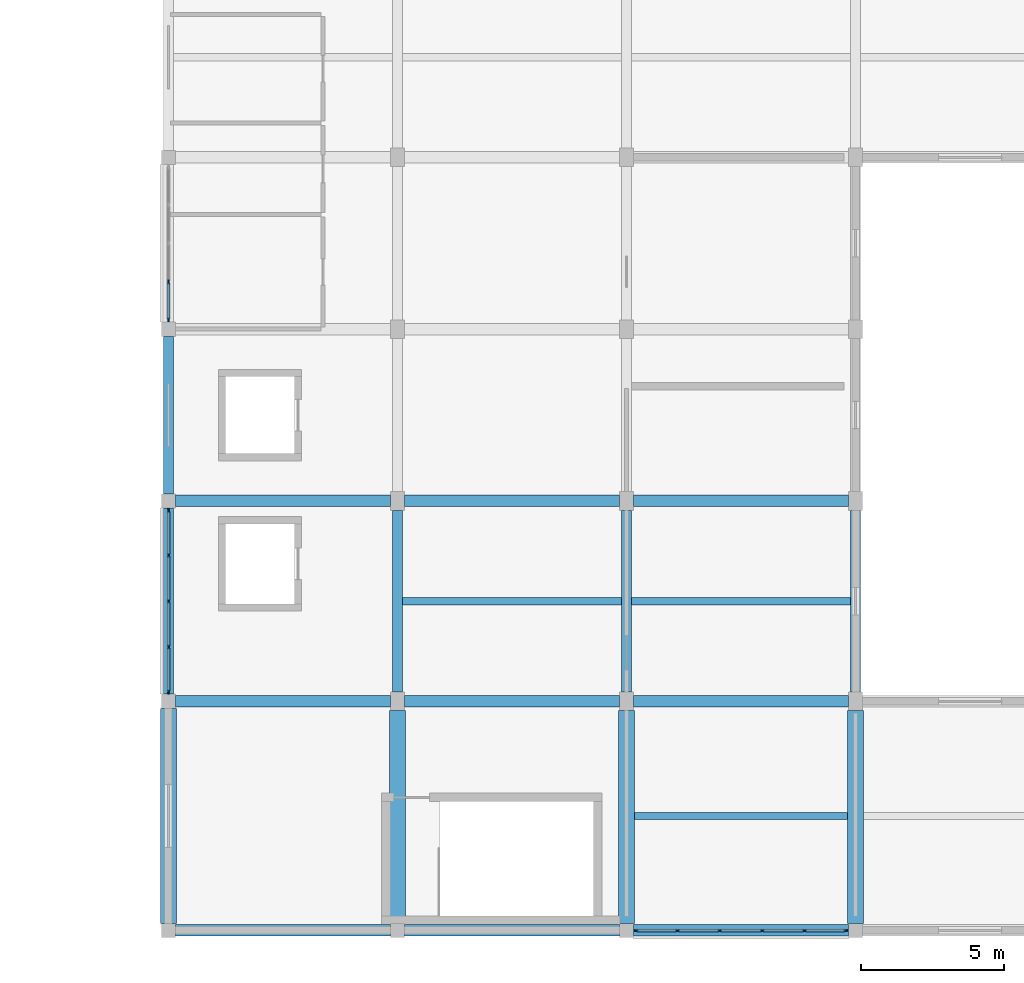
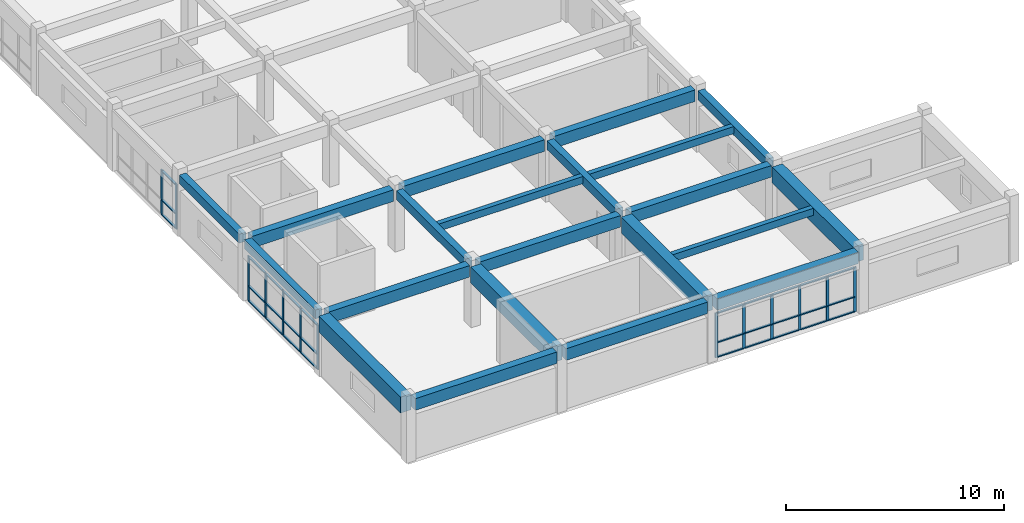
# One storey, part 4 of 17: 43 members, 21 beams, 3 elements without a shape of their own.
"""IFC4 building model written with IfcOpenShell, lengths in metres."""

from ifc_helpers import new_model, si_unit, direction, frame, origin, origin_2d, place, context, subcontext, project, spatial, rectangle, extrude, material, layer, layer_set, material_profile, profile_set, type_object, element, aggregate, save


model = new_model("IFC4")

# Units and contexts
model_context = context("Model", 3, precision=1e-05, world=origin(), true_north=direction((0.0, 1.0)))
body_context = subcontext(model_context, "Body", "Model", "MODEL_VIEW")
ifc_project = project(units=[si_unit("LENGTHUNIT", "METRE"), si_unit("AREAUNIT", "SQUARE_METRE"), si_unit("VOLUMEUNIT", "CUBIC_METRE"), si_unit("PLANEANGLEUNIT", "RADIAN"), si_unit("MASSUNIT", "GRAM", prefix="KILO")], contexts=[model_context])

# Site, building, storey
site_placement = place(None, origin())
site = spatial("IfcSite", under=ifc_project, at=site_placement, CompositionType="ELEMENT")
building_placement = place(site_placement, origin())
building = spatial("IfcBuilding", under=site, at=building_placement, Name="Naurynzar Civic Courthouse", CompositionType="ELEMENT")
storey_placement = place(building_placement, frame((0.0, 0.0, 29.550048828125)))
storey = spatial("IfcBuildingStorey", under=building, at=storey_placement, Name="L08", CompositionType="ELEMENT", Elevation=29.550048828125)

# Beams
ifc_material_1 = material(Name="Concrete C40/50", Category="concrete")
ifc_material_profile_1 = material_profile(ifc_material_1, rectangle(XDim=0.25, YDim=0.39990234375, at=origin_2d()), Name="RCB 250x400")
ifc_profile_set_1 = profile_set([ifc_material_profile_1], Name="Concrete C40/50")
beam_type_1 = type_object("IfcBeamType", Name="BM-JST-250x400", PredefinedType="JOIST", material=ifc_profile_set_1)
beam_1_placement = place(storey_placement, frame((146.27490234375, 21.0, 3.22998046875), z_axis=(1.0, 0.0, 0.0), x_axis=(0.0, 1.0, 0.0)))
element("IfcBeam", 1, at=beam_1_placement, inside=storey, type_object=beam_type_1, Name="V5 secondary rib 2967 L08", PredefinedType="JOIST", context=body_context, shape_type="SweptSolid", body=[
    extrude(rectangle(XDim=0.25, YDim=0.39990234375, at=origin_2d()), origin(), (0.0, 0.0, 1.0), 7.4501953125),
])
for number, where, z_axis, x_axis, name in (
    (2, (138.175048828125, 28.5, 3.22998046875), (1.0, 0.0, 0.0), (0.0, 1.0, 0.0), "V5 secondary rib 2969 L08"),
    (3, (146.175048828125, 28.5, 3.22998046875), (1.0, 0.0, 0.0), (0.0, 1.0, 0.0), "V5 secondary rib 2970 L08"),
):
    element("IfcBeam", number, at=place(storey_placement, frame(where, z_axis=z_axis, x_axis=x_axis)), inside=storey, type_object=beam_type_1, Name=name, PredefinedType="JOIST", context=body_context, shape_type="SweptSolid", body=[
        extrude(rectangle(XDim=0.25, YDim=0.39990234375, at=origin_2d()), origin(), (0.0, 0.0, 1.0), 7.64990234375),
    ])
ifc_material_2 = material(Name="Concrete C40/50", Category="concrete")
ifc_material_profile_2 = material_profile(ifc_material_2, rectangle(XDim=0.35009765625, YDim=0.5, at=origin_2d()), Name="RCB 350x500")
ifc_profile_set_2 = profile_set([ifc_material_profile_2], Name="Concrete C40/50")
beam_type_2 = type_object("IfcBeamType", Name="BM-RC-350x500", PredefinedType="BEAM", material=ifc_profile_set_2)
beam_2_placement = place(storey_placement, frame((130.0, 25.25, 3.179931640625), z_axis=(0.0, 1.0, 0.0), x_axis=(-1.0, 0.0, 0.0)))
element("IfcBeam", 4, at=beam_2_placement, inside=storey, type_object=beam_type_2, Name="V5 girder Y-2936 L08", PredefinedType="BEAM", context=body_context, shape_type="SweptSolid", body=[
    extrude(rectangle(XDim=0.35009765625, YDim=0.5, at=origin_2d()), origin(), (0.0, 0.0, 1.0), 6.5),
])
beam_3_placement = place(storey_placement, frame((130.0, 32.25, 3.179931640625), z_axis=(0.0, 1.0, 0.0), x_axis=(-1.0, 0.0, 0.0)))
element("IfcBeam", 5, at=beam_3_placement, inside=storey, type_object=beam_type_2, Name="V5 girder Y-2937 L08", PredefinedType="BEAM", context=body_context, shape_type="SweptSolid", body=[
    extrude(rectangle(XDim=0.35009765625, YDim=0.5, at=origin_2d()), origin(), (0.0, 0.0, 1.0), 5.5),
])
for number, where, z_axis, x_axis, name in (
    (6, (138.0, 25.324951171875, 3.179931640625), (0.0, 1.0, 0.0), (-1.0, 0.0, 0.0), "V5 girder Y-2943 L08"),
    (7, (146.0, 25.324951171875, 3.179931640625), (0.0, 1.0, 0.0), (-1.0, 0.0, 0.0), "V5 girder Y-2950 L08"),
    (8, (154.0, 25.324951171875, 3.179931640625), (0.0, 1.0, 0.0), (-1.0, 0.0, 0.0), "V5 girder Y-2957 L08"),
):
    element("IfcBeam", number, at=place(storey_placement, frame(where, z_axis=z_axis, x_axis=x_axis)), inside=storey, type_object=beam_type_2, Name=name, PredefinedType="BEAM", context=body_context, shape_type="SweptSolid", body=[
        extrude(rectangle(XDim=0.35009765625, YDim=0.5, at=origin_2d()), origin(), (0.0, 0.0, 1.0), 6.35009765625),
    ])
ifc_material_3 = material(Name="Concrete C40/50", Category="concrete")
ifc_material_profile_3 = material_profile(ifc_material_3, rectangle(XDim=0.39990234375, YDim=0.64990234375, at=origin_2d()), Name="RCB 400x650")
ifc_profile_set_3 = profile_set([ifc_material_profile_3], Name="Concrete C40/50")
beam_type_3 = type_object("IfcBeamType", Name="BM-RC-400x650", PredefinedType="BEAM", material=ifc_profile_set_3)
for number, where, z_axis, x_axis, name in (
    (9, (130.25, 17.0, 3.10498046875), (1.0, 0.0, 0.0), (0.0, 1.0, 0.0), "V5 beam X-2905 L08"),
    (10, (138.25, 17.0, 3.10498046875), (1.0, 0.0, 0.0), (0.0, 1.0, 0.0), "V5 beam X-2906 L08"),
    (11, (146.25, 17.0, 3.10498046875), (1.0, 0.0, 0.0), (0.0, 1.0, 0.0), "V5 beam X-2907 L08"),
    (12, (130.25, 25.0, 3.10498046875), (1.0, 0.0, 0.0), (0.0, 1.0, 0.0), "V5 beam X-2909 L08"),
    (13, (138.25, 25.0, 3.10498046875), (1.0, 0.0, 0.0), (0.0, 1.0, 0.0), "V5 beam X-2910 L08"),
    (14, (146.25, 25.0, 3.10498046875), (1.0, 0.0, 0.0), (0.0, 1.0, 0.0), "V5 beam X-2911 L08"),
    (15, (130.25, 32.0, 3.10498046875), (1.0, 0.0, 0.0), (0.0, 1.0, 0.0), "V5 beam X-2913 L08"),
    (16, (138.25, 32.0, 3.10498046875), (1.0, 0.0, 0.0), (0.0, 1.0, 0.0), "V5 beam X-2914 L08"),
    (17, (146.25, 32.0, 3.10498046875), (1.0, 0.0, 0.0), (0.0, 1.0, 0.0), "V5 beam X-2915 L08"),
):
    element("IfcBeam", number, at=place(storey_placement, frame(where, z_axis=z_axis, x_axis=x_axis)), inside=storey, type_object=beam_type_3, Name=name, PredefinedType="BEAM", context=body_context, shape_type="SweptSolid", body=[
        extrude(rectangle(XDim=0.39990234375, YDim=0.64990234375, at=origin_2d()), origin(), (0.0, 0.0, 1.0), 7.5),
    ])
ifc_material_4 = material(Name="Concrete C40/50", Category="concrete")
ifc_material_profile_4 = material_profile(ifc_material_4, rectangle(XDim=0.550048828125, YDim=0.89990234375, at=origin_2d()), Name="RCB 550x900")
ifc_profile_set_4 = profile_set([ifc_material_profile_4], Name="Concrete C40/50")
beam_type_4 = type_object("IfcBeamType", Name="BM-RC-550x900", PredefinedType="T_BEAM", material=ifc_profile_set_4)
beam_4_placement = place(storey_placement, frame((130.0, 17.25, 2.97998046875), z_axis=(0.0, 1.0, 0.0), x_axis=(-1.0, 0.0, 0.0)))
element("IfcBeam", 18, at=beam_4_placement, inside=storey, type_object=beam_type_4, Name="V5 girder Y-2935 L08", PredefinedType="T_BEAM", context=body_context, shape_type="SweptSolid", body=[
    extrude(rectangle(XDim=0.550048828125, YDim=0.89990234375, at=origin_2d()), origin(), (0.0, 0.0, 1.0), 7.5),
])
for number, where, z_axis, x_axis, name in (
    (19, (138.0, 17.25, 2.97998046875), (0.0, 1.0, 0.0), (-1.0, 0.0, 0.0), "V5 girder Y-2942 L08"),
    (20, (146.0, 17.25, 2.97998046875), (0.0, 1.0, 0.0), (-1.0, 0.0, 0.0), "V5 girder Y-2949 L08"),
    (21, (154.0, 17.25, 2.97998046875), (0.0, 1.0, 0.0), (-1.0, 0.0, 0.0), "V5 girder Y-2956 L08"),
):
    element("IfcBeam", number, at=place(storey_placement, frame(where, z_axis=z_axis, x_axis=x_axis)), inside=storey, type_object=beam_type_4, Name=name, PredefinedType="T_BEAM", context=body_context, shape_type="SweptSolid", body=[
        extrude(rectangle(XDim=0.550048828125, YDim=0.89990234375, at=origin_2d()), origin(), (0.0, 0.0, 1.0), 7.425048828125),
    ])

# Curtain wall, members
ifc_material_5 = material(Name="Aluminium 6063-T6", Category="aluminium")
ifc_layer = layer(ifc_material_5, 0.179931640625)
ifc_layer_set = layer_set([ifc_layer], Name="CW-UNIT-1500")
curtain_wall_type = type_object("IfcCurtainWallType", Name="CW-UNIT-1500", PredefinedType="NOTDEFINED", material=ifc_layer_set)
curtain_wall_1_placement = place(storey_placement, origin())
curtain_wall_1 = element("IfcCurtainWall", 22, at=curtain_wall_1_placement, inside=storey, type_object=curtain_wall_type, Name="V5 unitised curtain wall 117 L08", PredefinedType="NOTDEFINED")
ifc_material_6 = material(Name="Aluminium 6063-T6", Category="aluminium")
ifc_material_profile_5 = material_profile(ifc_material_6, rectangle(XDim=0.06005859375, YDim=0.14990234375, at=origin_2d()), Name="ALU MULLION 60x150")
ifc_profile_set_5 = profile_set([ifc_material_profile_5], Name="Aluminium 6063-T6")
member_type_1 = type_object("IfcMemberType", Name="CWM-60x150", PredefinedType="MULLION", material=ifc_profile_set_5)
member_1_placement = place(storey_placement, frame((130.0, 25.330078125, 0.0), z_axis=(0.0, 0.0, 1.0), x_axis=(-1.0, 0.0, 0.0)))
member_1 = element("IfcMember", 23, at=member_1_placement, type_object=member_type_1, Name="CW-01 mullion 1", PredefinedType="MULLION", context=body_context, shape_type="SweptSolid", body=[
    extrude(rectangle(XDim=0.06005859375, YDim=0.14990234375, at=origin_2d()), origin(), (0.0, 0.0, 1.0), 2.510009765625),
])
member_2_placement = place(storey_placement, frame((130.0, 26.89990234375, 0.0), z_axis=(0.0, 0.0, 1.0), x_axis=(-1.0, 0.0, 0.0)))
member_2 = element("IfcMember", 24, at=member_2_placement, type_object=member_type_1, Name="CW-01 mullion 2", PredefinedType="MULLION", context=body_context, shape_type="SweptSolid", body=[
    extrude(rectangle(XDim=0.06005859375, YDim=0.14990234375, at=origin_2d()), origin(), (0.0, 0.0, 1.0), 2.510009765625),
])
member_3_placement = place(storey_placement, frame((130.0, 28.5, 0.0), z_axis=(0.0, 0.0, 1.0), x_axis=(-1.0, 0.0, 0.0)))
member_3 = element("IfcMember", 25, at=member_3_placement, type_object=member_type_1, Name="CW-01 mullion 3", PredefinedType="MULLION", context=body_context, shape_type="SweptSolid", body=[
    extrude(rectangle(XDim=0.06005859375, YDim=0.14990234375, at=origin_2d()), origin(), (0.0, 0.0, 1.0), 2.510009765625),
])
member_4_placement = place(storey_placement, frame((130.0, 30.10009765625, 0.0), z_axis=(0.0, 0.0, 1.0), x_axis=(-1.0, 0.0, 0.0)))
member_4 = element("IfcMember", 26, at=member_4_placement, type_object=member_type_1, Name="CW-01 mullion 4", PredefinedType="MULLION", context=body_context, shape_type="SweptSolid", body=[
    extrude(rectangle(XDim=0.06005859375, YDim=0.14990234375, at=origin_2d()), origin(), (0.0, 0.0, 1.0), 2.510009765625),
])
member_5_placement = place(storey_placement, frame((130.0, 31.669921875, 0.0), z_axis=(0.0, 0.0, 1.0), x_axis=(-1.0, 0.0, 0.0)))
member_5 = element("IfcMember", 27, at=member_5_placement, type_object=member_type_1, Name="CW-01 mullion 5", PredefinedType="MULLION", context=body_context, shape_type="SweptSolid", body=[
    extrude(rectangle(XDim=0.06005859375, YDim=0.14990234375, at=origin_2d()), origin(), (0.0, 0.0, 1.0), 2.510009765625),
])

curtain_wall_2_placement = place(storey_placement, origin())
curtain_wall_2 = element("IfcCurtainWall", 28, at=curtain_wall_2_placement, inside=storey, type_object=curtain_wall_type, Name="V5 unitised curtain wall 118 L08", PredefinedType="NOTDEFINED")
member_6_placement = place(storey_placement, frame((130.0, 38.330078125, 0.0), z_axis=(0.0, 0.0, 1.0), x_axis=(-1.0, 0.0, 0.0)))
member_6 = element("IfcMember", 29, at=member_6_placement, type_object=member_type_1, Name="CW-01 mullion 1", PredefinedType="MULLION", context=body_context, shape_type="SweptSolid", body=[
    extrude(rectangle(XDim=0.06005859375, YDim=0.14990234375, at=origin_2d()), origin(), (0.0, 0.0, 1.0), 2.510009765625),
])
member_7_placement = place(storey_placement, frame((130.0, 39.64990234375, 0.0), z_axis=(0.0, 0.0, 1.0), x_axis=(-1.0, 0.0, 0.0)))
member_7 = element("IfcMember", 30, at=member_7_placement, type_object=member_type_1, Name="CW-01 mullion 2", PredefinedType="MULLION", context=body_context, shape_type="SweptSolid", body=[
    extrude(rectangle(XDim=0.06005859375, YDim=0.14990234375, at=origin_2d()), origin(), (0.0, 0.0, 1.0), 2.510009765625),
])

curtain_wall_3_placement = place(storey_placement, origin())
curtain_wall_3 = element("IfcCurtainWall", 31, at=curtain_wall_3_placement, inside=storey, type_object=curtain_wall_type, Name="V5 unitised curtain wall 120 L08", PredefinedType="NOTDEFINED")
member_8_placement = place(storey_placement, frame((153.669921875, 17.0, 0.0), z_axis=(0.0, 0.0, 1.0), x_axis=(0.0, -1.0, 0.0)))
member_8 = element("IfcMember", 32, at=member_8_placement, type_object=member_type_1, Name="CW-01 mullion 1", PredefinedType="MULLION", context=body_context, shape_type="SweptSolid", body=[
    extrude(rectangle(XDim=0.06005859375, YDim=0.14990234375, at=origin_2d()), origin(), (0.0, 0.0, 1.0), 2.510009765625),
])
member_9_placement = place(storey_placement, frame((152.219970703125, 17.0, 0.0), z_axis=(0.0, 0.0, 1.0), x_axis=(0.0, -1.0, 0.0)))
member_9 = element("IfcMember", 33, at=member_9_placement, type_object=member_type_1, Name="CW-01 mullion 2", PredefinedType="MULLION", context=body_context, shape_type="SweptSolid", body=[
    extrude(rectangle(XDim=0.06005859375, YDim=0.14990234375, at=origin_2d()), origin(), (0.0, 0.0, 1.0), 2.510009765625),
])
member_10_placement = place(storey_placement, frame((150.739990234375, 17.0, 0.0), z_axis=(0.0, 0.0, 1.0), x_axis=(0.0, -1.0, 0.0)))
member_10 = element("IfcMember", 34, at=member_10_placement, type_object=member_type_1, Name="CW-01 mullion 3", PredefinedType="MULLION", context=body_context, shape_type="SweptSolid", body=[
    extrude(rectangle(XDim=0.06005859375, YDim=0.14990234375, at=origin_2d()), origin(), (0.0, 0.0, 1.0), 2.510009765625),
])
member_11_placement = place(storey_placement, frame((149.260009765625, 17.0, 0.0), z_axis=(0.0, 0.0, 1.0), x_axis=(0.0, -1.0, 0.0)))
member_11 = element("IfcMember", 35, at=member_11_placement, type_object=member_type_1, Name="CW-01 mullion 4", PredefinedType="MULLION", context=body_context, shape_type="SweptSolid", body=[
    extrude(rectangle(XDim=0.06005859375, YDim=0.14990234375, at=origin_2d()), origin(), (0.0, 0.0, 1.0), 2.510009765625),
])
member_12_placement = place(storey_placement, frame((147.780029296875, 17.0, 0.0), z_axis=(0.0, 0.0, 1.0), x_axis=(0.0, -1.0, 0.0)))
member_12 = element("IfcMember", 36, at=member_12_placement, type_object=member_type_1, Name="CW-01 mullion 5", PredefinedType="MULLION", context=body_context, shape_type="SweptSolid", body=[
    extrude(rectangle(XDim=0.06005859375, YDim=0.14990234375, at=origin_2d()), origin(), (0.0, 0.0, 1.0), 2.510009765625),
])
member_13_placement = place(storey_placement, frame((146.330078125, 17.0, 0.0), z_axis=(0.0, 0.0, 1.0), x_axis=(0.0, -1.0, 0.0)))
member_13 = element("IfcMember", 37, at=member_13_placement, type_object=member_type_1, Name="CW-01 mullion 6", PredefinedType="MULLION", context=body_context, shape_type="SweptSolid", body=[
    extrude(rectangle(XDim=0.06005859375, YDim=0.14990234375, at=origin_2d()), origin(), (0.0, 0.0, 1.0), 2.510009765625),
])

# Member
ifc_material_7 = material(Name="Aluminium 6063-T6", Category="aluminium")
ifc_material_profile_6 = material_profile(ifc_material_7, rectangle(XDim=0.110107421875, YDim=0.06005859375, at=origin_2d()), Name="ALU TRANSOM 60x110")
ifc_profile_set_6 = profile_set([ifc_material_profile_6], Name="Aluminium 6063-T6")
member_type_2 = type_object("IfcMemberType", Name="CWT-60x110", PredefinedType="USERDEFINED", material=ifc_profile_set_6)
member_14_placement = place(storey_placement, frame((130.0, 25.360107421875, 0.030029296875), z_axis=(0.0, 1.0, 0.0), x_axis=(-1.0, 0.0, 0.0)))
member_14 = element("IfcMember", 38, at=member_14_placement, type_object=member_type_2, Name="CW-01 transom 1.1", ObjectType="TRANSOM", PredefinedType="USERDEFINED", context=body_context, shape_type="SweptSolid", body=[
    extrude(rectangle(XDim=0.110107421875, YDim=0.06005859375, at=origin_2d()), origin(), (0.0, 0.0, 1.0), 1.510009765625),
])

member_15_placement = place(storey_placement, frame((130.0, 25.360107421875, 0.849853515625), z_axis=(0.0, 1.0, 0.0), x_axis=(-1.0, 0.0, 0.0)))
member_15 = element("IfcMember", 39, at=member_15_placement, type_object=member_type_2, Name="CW-01 transom 1.2", ObjectType="TRANSOM", PredefinedType="USERDEFINED", context=body_context, shape_type="SweptSolid", body=[
    extrude(rectangle(XDim=0.110107421875, YDim=0.06005859375, at=origin_2d()), origin(), (0.0, 0.0, 1.0), 1.510009765625),
])

member_16_placement = place(storey_placement, frame((130.0, 25.360107421875, 2.47998046875), z_axis=(0.0, 1.0, 0.0), x_axis=(-1.0, 0.0, 0.0)))
member_16 = element("IfcMember", 40, at=member_16_placement, type_object=member_type_2, Name="CW-01 transom 1.3", ObjectType="TRANSOM", PredefinedType="USERDEFINED", context=body_context, shape_type="SweptSolid", body=[
    extrude(rectangle(XDim=0.110107421875, YDim=0.06005859375, at=origin_2d()), origin(), (0.0, 0.0, 1.0), 1.510009765625),
])

member_17_placement = place(storey_placement, frame((130.0, 26.929931640625, 0.030029296875), z_axis=(0.0, 1.0, 0.0), x_axis=(-1.0, 0.0, 0.0)))
member_17 = element("IfcMember", 41, at=member_17_placement, type_object=member_type_2, Name="CW-01 transom 2.1", ObjectType="TRANSOM", PredefinedType="USERDEFINED", context=body_context, shape_type="SweptSolid", body=[
    extrude(rectangle(XDim=0.110107421875, YDim=0.06005859375, at=origin_2d()), origin(), (0.0, 0.0, 1.0), 1.5400390625),
])

member_18_placement = place(storey_placement, frame((130.0, 26.929931640625, 0.849853515625), z_axis=(0.0, 1.0, 0.0), x_axis=(-1.0, 0.0, 0.0)))
member_18 = element("IfcMember", 42, at=member_18_placement, type_object=member_type_2, Name="CW-01 transom 2.2", ObjectType="TRANSOM", PredefinedType="USERDEFINED", context=body_context, shape_type="SweptSolid", body=[
    extrude(rectangle(XDim=0.110107421875, YDim=0.06005859375, at=origin_2d()), origin(), (0.0, 0.0, 1.0), 1.5400390625),
])

member_19_placement = place(storey_placement, frame((130.0, 26.929931640625, 2.47998046875), z_axis=(0.0, 1.0, 0.0), x_axis=(-1.0, 0.0, 0.0)))
member_19 = element("IfcMember", 43, at=member_19_placement, type_object=member_type_2, Name="CW-01 transom 2.3", ObjectType="TRANSOM", PredefinedType="USERDEFINED", context=body_context, shape_type="SweptSolid", body=[
    extrude(rectangle(XDim=0.110107421875, YDim=0.06005859375, at=origin_2d()), origin(), (0.0, 0.0, 1.0), 1.5400390625),
])

member_20_placement = place(storey_placement, frame((130.0, 28.530029296875, 0.030029296875), z_axis=(0.0, 1.0, 0.0), x_axis=(-1.0, 0.0, 0.0)))
member_20 = element("IfcMember", 44, at=member_20_placement, type_object=member_type_2, Name="CW-01 transom 3.1", ObjectType="TRANSOM", PredefinedType="USERDEFINED", context=body_context, shape_type="SweptSolid", body=[
    extrude(rectangle(XDim=0.110107421875, YDim=0.06005859375, at=origin_2d()), origin(), (0.0, 0.0, 1.0), 1.5400390625),
])

member_21_placement = place(storey_placement, frame((130.0, 28.530029296875, 0.849853515625), z_axis=(0.0, 1.0, 0.0), x_axis=(-1.0, 0.0, 0.0)))
member_21 = element("IfcMember", 45, at=member_21_placement, type_object=member_type_2, Name="CW-01 transom 3.2", ObjectType="TRANSOM", PredefinedType="USERDEFINED", context=body_context, shape_type="SweptSolid", body=[
    extrude(rectangle(XDim=0.110107421875, YDim=0.06005859375, at=origin_2d()), origin(), (0.0, 0.0, 1.0), 1.5400390625),
])

member_22_placement = place(storey_placement, frame((130.0, 28.530029296875, 2.47998046875), z_axis=(0.0, 1.0, 0.0), x_axis=(-1.0, 0.0, 0.0)))
member_22 = element("IfcMember", 46, at=member_22_placement, type_object=member_type_2, Name="CW-01 transom 3.3", ObjectType="TRANSOM", PredefinedType="USERDEFINED", context=body_context, shape_type="SweptSolid", body=[
    extrude(rectangle(XDim=0.110107421875, YDim=0.06005859375, at=origin_2d()), origin(), (0.0, 0.0, 1.0), 1.5400390625),
])

member_23_placement = place(storey_placement, frame((130.0, 30.1298828125, 0.030029296875), z_axis=(0.0, 1.0, 0.0), x_axis=(-1.0, 0.0, 0.0)))
member_23 = element("IfcMember", 47, at=member_23_placement, type_object=member_type_2, Name="CW-01 transom 4.1", ObjectType="TRANSOM", PredefinedType="USERDEFINED", context=body_context, shape_type="SweptSolid", body=[
    extrude(rectangle(XDim=0.110107421875, YDim=0.06005859375, at=origin_2d()), origin(), (0.0, 0.0, 1.0), 1.510009765625),
])

member_24_placement = place(storey_placement, frame((130.0, 30.1298828125, 0.849853515625), z_axis=(0.0, 1.0, 0.0), x_axis=(-1.0, 0.0, 0.0)))
member_24 = element("IfcMember", 48, at=member_24_placement, type_object=member_type_2, Name="CW-01 transom 4.2", ObjectType="TRANSOM", PredefinedType="USERDEFINED", context=body_context, shape_type="SweptSolid", body=[
    extrude(rectangle(XDim=0.110107421875, YDim=0.06005859375, at=origin_2d()), origin(), (0.0, 0.0, 1.0), 1.510009765625),
])

member_25_placement = place(storey_placement, frame((130.0, 30.1298828125, 2.47998046875), z_axis=(0.0, 1.0, 0.0), x_axis=(-1.0, 0.0, 0.0)))
member_25 = element("IfcMember", 49, at=member_25_placement, type_object=member_type_2, Name="CW-01 transom 4.3", ObjectType="TRANSOM", PredefinedType="USERDEFINED", context=body_context, shape_type="SweptSolid", body=[
    extrude(rectangle(XDim=0.110107421875, YDim=0.06005859375, at=origin_2d()), origin(), (0.0, 0.0, 1.0), 1.510009765625),
])

aggregate(curtain_wall_1, [member_1, member_2, member_3, member_4, member_5, member_14, member_15, member_16, member_17, member_18, member_19, member_20, member_21, member_22, member_23, member_24, member_25])

member_26_placement = place(storey_placement, frame((130.0, 38.360107421875, 0.030029296875), z_axis=(0.0, 1.0, 0.0), x_axis=(-1.0, 0.0, 0.0)))
member_26 = element("IfcMember", 50, at=member_26_placement, type_object=member_type_2, Name="CW-01 transom 1.1", ObjectType="TRANSOM", PredefinedType="USERDEFINED", context=body_context, shape_type="SweptSolid", body=[
    extrude(rectangle(XDim=0.110107421875, YDim=0.06005859375, at=origin_2d()), origin(), (0.0, 0.0, 1.0), 1.260009765625),
])

member_27_placement = place(storey_placement, frame((130.0, 38.360107421875, 0.849853515625), z_axis=(0.0, 1.0, 0.0), x_axis=(-1.0, 0.0, 0.0)))
member_27 = element("IfcMember", 51, at=member_27_placement, type_object=member_type_2, Name="CW-01 transom 1.2", ObjectType="TRANSOM", PredefinedType="USERDEFINED", context=body_context, shape_type="SweptSolid", body=[
    extrude(rectangle(XDim=0.110107421875, YDim=0.06005859375, at=origin_2d()), origin(), (0.0, 0.0, 1.0), 1.260009765625),
])

member_28_placement = place(storey_placement, frame((130.0, 38.360107421875, 2.47998046875), z_axis=(0.0, 1.0, 0.0), x_axis=(-1.0, 0.0, 0.0)))
member_28 = element("IfcMember", 52, at=member_28_placement, type_object=member_type_2, Name="CW-01 transom 1.3", ObjectType="TRANSOM", PredefinedType="USERDEFINED", context=body_context, shape_type="SweptSolid", body=[
    extrude(rectangle(XDim=0.110107421875, YDim=0.06005859375, at=origin_2d()), origin(), (0.0, 0.0, 1.0), 1.260009765625),
])

aggregate(curtain_wall_2, [member_6, member_7, member_26, member_27, member_28])

member_29_placement = place(storey_placement, frame((153.639892578125, 17.0, 0.030029296875), z_axis=(-1.0, 0.0, 0.0), x_axis=(0.0, -1.0, 0.0)))
member_29 = element("IfcMember", 53, at=member_29_placement, type_object=member_type_2, Name="CW-01 transom 1.1", ObjectType="TRANSOM", PredefinedType="USERDEFINED", context=body_context, shape_type="SweptSolid", body=[
    extrude(rectangle(XDim=0.110107421875, YDim=0.06005859375, at=origin_2d()), origin(), (0.0, 0.0, 1.0), 1.389892578125),
])

member_30_placement = place(storey_placement, frame((153.639892578125, 17.0, 0.849853515625), z_axis=(-1.0, 0.0, 0.0), x_axis=(0.0, -1.0, 0.0)))
member_30 = element("IfcMember", 54, at=member_30_placement, type_object=member_type_2, Name="CW-01 transom 1.2", ObjectType="TRANSOM", PredefinedType="USERDEFINED", context=body_context, shape_type="SweptSolid", body=[
    extrude(rectangle(XDim=0.110107421875, YDim=0.06005859375, at=origin_2d()), origin(), (0.0, 0.0, 1.0), 1.389892578125),
])

member_31_placement = place(storey_placement, frame((153.639892578125, 17.0, 2.47998046875), z_axis=(-1.0, 0.0, 0.0), x_axis=(0.0, -1.0, 0.0)))
member_31 = element("IfcMember", 55, at=member_31_placement, type_object=member_type_2, Name="CW-01 transom 1.3", ObjectType="TRANSOM", PredefinedType="USERDEFINED", context=body_context, shape_type="SweptSolid", body=[
    extrude(rectangle(XDim=0.110107421875, YDim=0.06005859375, at=origin_2d()), origin(), (0.0, 0.0, 1.0), 1.389892578125),
])

member_32_placement = place(storey_placement, frame((152.18994140625, 17.0, 0.030029296875), z_axis=(-1.0, 0.0, 0.0), x_axis=(0.0, -1.0, 0.0)))
member_32 = element("IfcMember", 56, at=member_32_placement, type_object=member_type_2, Name="CW-01 transom 2.1", ObjectType="TRANSOM", PredefinedType="USERDEFINED", context=body_context, shape_type="SweptSolid", body=[
    extrude(rectangle(XDim=0.110107421875, YDim=0.06005859375, at=origin_2d()), origin(), (0.0, 0.0, 1.0), 1.419921875),
])

member_33_placement = place(storey_placement, frame((152.18994140625, 17.0, 0.849853515625), z_axis=(-1.0, 0.0, 0.0), x_axis=(0.0, -1.0, 0.0)))
member_33 = element("IfcMember", 57, at=member_33_placement, type_object=member_type_2, Name="CW-01 transom 2.2", ObjectType="TRANSOM", PredefinedType="USERDEFINED", context=body_context, shape_type="SweptSolid", body=[
    extrude(rectangle(XDim=0.110107421875, YDim=0.06005859375, at=origin_2d()), origin(), (0.0, 0.0, 1.0), 1.419921875),
])

member_34_placement = place(storey_placement, frame((152.18994140625, 17.0, 2.47998046875), z_axis=(-1.0, 0.0, 0.0), x_axis=(0.0, -1.0, 0.0)))
member_34 = element("IfcMember", 58, at=member_34_placement, type_object=member_type_2, Name="CW-01 transom 2.3", ObjectType="TRANSOM", PredefinedType="USERDEFINED", context=body_context, shape_type="SweptSolid", body=[
    extrude(rectangle(XDim=0.110107421875, YDim=0.06005859375, at=origin_2d()), origin(), (0.0, 0.0, 1.0), 1.419921875),
])

member_35_placement = place(storey_placement, frame((150.7099609375, 17.0, 0.030029296875), z_axis=(-1.0, 0.0, 0.0), x_axis=(0.0, -1.0, 0.0)))
member_35 = element("IfcMember", 59, at=member_35_placement, type_object=member_type_2, Name="CW-01 transom 3.1", ObjectType="TRANSOM", PredefinedType="USERDEFINED", context=body_context, shape_type="SweptSolid", body=[
    extrude(rectangle(XDim=0.110107421875, YDim=0.06005859375, at=origin_2d()), origin(), (0.0, 0.0, 1.0), 1.419921875),
])

member_36_placement = place(storey_placement, frame((150.7099609375, 17.0, 0.849853515625), z_axis=(-1.0, 0.0, 0.0), x_axis=(0.0, -1.0, 0.0)))
member_36 = element("IfcMember", 60, at=member_36_placement, type_object=member_type_2, Name="CW-01 transom 3.2", ObjectType="TRANSOM", PredefinedType="USERDEFINED", context=body_context, shape_type="SweptSolid", body=[
    extrude(rectangle(XDim=0.110107421875, YDim=0.06005859375, at=origin_2d()), origin(), (0.0, 0.0, 1.0), 1.419921875),
])

member_37_placement = place(storey_placement, frame((150.7099609375, 17.0, 2.47998046875), z_axis=(-1.0, 0.0, 0.0), x_axis=(0.0, -1.0, 0.0)))
member_37 = element("IfcMember", 61, at=member_37_placement, type_object=member_type_2, Name="CW-01 transom 3.3", ObjectType="TRANSOM", PredefinedType="USERDEFINED", context=body_context, shape_type="SweptSolid", body=[
    extrude(rectangle(XDim=0.110107421875, YDim=0.06005859375, at=origin_2d()), origin(), (0.0, 0.0, 1.0), 1.419921875),
])

member_38_placement = place(storey_placement, frame((149.22998046875, 17.0, 0.030029296875), z_axis=(-1.0, 0.0, 0.0), x_axis=(0.0, -1.0, 0.0)))
member_38 = element("IfcMember", 62, at=member_38_placement, type_object=member_type_2, Name="CW-01 transom 4.1", ObjectType="TRANSOM", PredefinedType="USERDEFINED", context=body_context, shape_type="SweptSolid", body=[
    extrude(rectangle(XDim=0.110107421875, YDim=0.06005859375, at=origin_2d()), origin(), (0.0, 0.0, 1.0), 1.419921875),
])

member_39_placement = place(storey_placement, frame((149.22998046875, 17.0, 0.849853515625), z_axis=(-1.0, 0.0, 0.0), x_axis=(0.0, -1.0, 0.0)))
member_39 = element("IfcMember", 63, at=member_39_placement, type_object=member_type_2, Name="CW-01 transom 4.2", ObjectType="TRANSOM", PredefinedType="USERDEFINED", context=body_context, shape_type="SweptSolid", body=[
    extrude(rectangle(XDim=0.110107421875, YDim=0.06005859375, at=origin_2d()), origin(), (0.0, 0.0, 1.0), 1.419921875),
])

member_40_placement = place(storey_placement, frame((149.22998046875, 17.0, 2.47998046875), z_axis=(-1.0, 0.0, 0.0), x_axis=(0.0, -1.0, 0.0)))
member_40 = element("IfcMember", 64, at=member_40_placement, type_object=member_type_2, Name="CW-01 transom 4.3", ObjectType="TRANSOM", PredefinedType="USERDEFINED", context=body_context, shape_type="SweptSolid", body=[
    extrude(rectangle(XDim=0.110107421875, YDim=0.06005859375, at=origin_2d()), origin(), (0.0, 0.0, 1.0), 1.419921875),
])

member_41_placement = place(storey_placement, frame((147.75, 17.0, 0.030029296875), z_axis=(-1.0, 0.0, 0.0), x_axis=(0.0, -1.0, 0.0)))
member_41 = element("IfcMember", 65, at=member_41_placement, type_object=member_type_2, Name="CW-01 transom 5.1", ObjectType="TRANSOM", PredefinedType="USERDEFINED", context=body_context, shape_type="SweptSolid", body=[
    extrude(rectangle(XDim=0.110107421875, YDim=0.06005859375, at=origin_2d()), origin(), (0.0, 0.0, 1.0), 1.389892578125),
])

member_42_placement = place(storey_placement, frame((147.75, 17.0, 0.849853515625), z_axis=(-1.0, 0.0, 0.0), x_axis=(0.0, -1.0, 0.0)))
member_42 = element("IfcMember", 66, at=member_42_placement, type_object=member_type_2, Name="CW-01 transom 5.2", ObjectType="TRANSOM", PredefinedType="USERDEFINED", context=body_context, shape_type="SweptSolid", body=[
    extrude(rectangle(XDim=0.110107421875, YDim=0.06005859375, at=origin_2d()), origin(), (0.0, 0.0, 1.0), 1.389892578125),
])

member_43_placement = place(storey_placement, frame((147.75, 17.0, 2.47998046875), z_axis=(-1.0, 0.0, 0.0), x_axis=(0.0, -1.0, 0.0)))
member_43 = element("IfcMember", 67, at=member_43_placement, type_object=member_type_2, Name="CW-01 transom 5.3", ObjectType="TRANSOM", PredefinedType="USERDEFINED", context=body_context, shape_type="SweptSolid", body=[
    extrude(rectangle(XDim=0.110107421875, YDim=0.06005859375, at=origin_2d()), origin(), (0.0, 0.0, 1.0), 1.389892578125),
])

aggregate(curtain_wall_3, [member_8, member_9, member_10, member_11, member_12, member_13, member_29, member_30, member_31, member_32, member_33, member_34, member_35, member_36, member_37, member_38, member_39, member_40, member_41, member_42, member_43])

save(model, "model.ifc")
